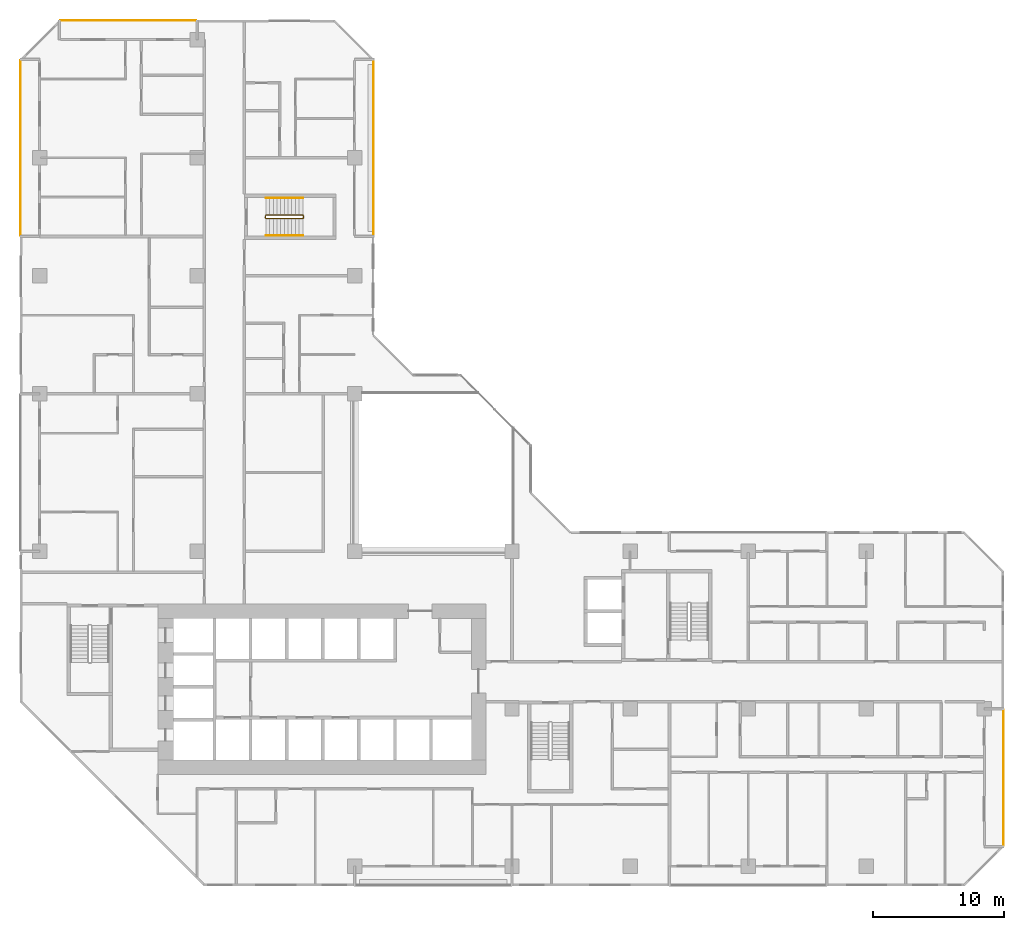
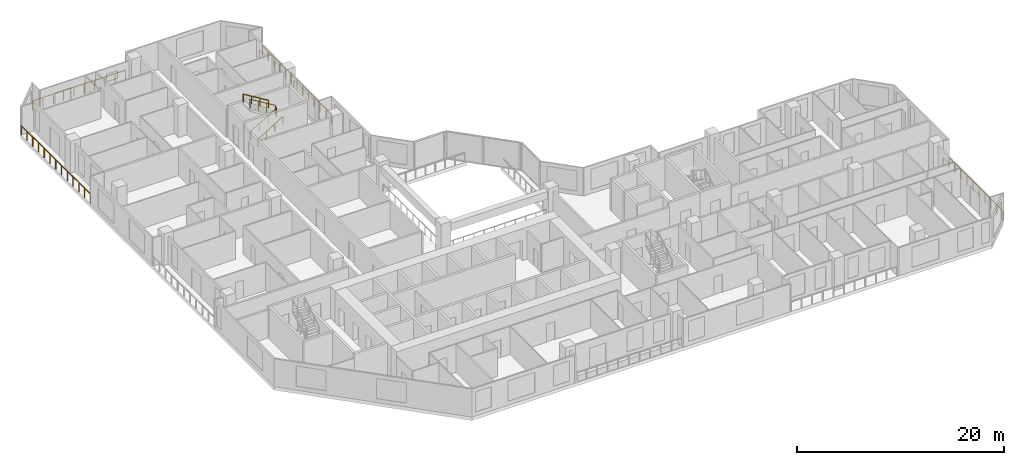
# One storey, part 16 of 16: 7 railings.
"""IFC4 building model written with IfcOpenShell, lengths in metres."""

from ifc_helpers import new_model, si_unit, direction, frame, origin, origin_2d, place, context, subcontext, project, spatial, rectangle, extrude, material, type_object, element, save


model = new_model("IFC4")

# Units and contexts
model_context = context("Model", 3, precision=1e-05, world=origin(), true_north=direction((0.0, 1.0)))
body_context = subcontext(model_context, "Body", "Model", "MODEL_VIEW")
ifc_project = project(units=[si_unit("LENGTHUNIT", "METRE"), si_unit("AREAUNIT", "SQUARE_METRE"), si_unit("VOLUMEUNIT", "CUBIC_METRE"), si_unit("PLANEANGLEUNIT", "RADIAN"), si_unit("MASSUNIT", "GRAM", prefix="KILO")], contexts=[model_context])

# Site, building, storey
site_placement = place(None, origin())
site = spatial("IfcSite", under=ifc_project, at=site_placement, CompositionType="ELEMENT")
building_placement = place(site_placement, origin())
building = spatial("IfcBuilding", under=site, at=building_placement, Name="Chenar Terraces", CompositionType="ELEMENT")
storey_placement = place(building_placement, frame((0.0, 0.0, 82.64990234375)))
storey = spatial("IfcBuildingStorey", under=building, at=storey_placement, Name="L18", CompositionType="ELEMENT", Elevation=82.64990234375)

# Railings
ifc_material_1 = material(Name="Stainless steel and glass", Category="steel")
railing_type_1 = type_object("IfcRailingType", Name="Loggia guard 1150", PredefinedType="GUARDRAIL", material=ifc_material_1)
railing_1_placement = place(storey_placement, frame((25.449951171875, 48.074951171875, 0.0)))
element("IfcRailing", 1, at=railing_1_placement, inside=storey, type_object=railing_type_1, Name="Loggia guard", PredefinedType="GUARDRAIL", context=body_context, shape_type="SweptSolid", body=[
    extrude(rectangle(XDim=0.048095703125, YDim=0.048095703125, at=origin_2d()), frame((0.0, 0.0, 1.1259765625), z_axis=(0.0, 1.0, 0.0), x_axis=(-1.0, 0.0, 0.0)), (0.0, 0.0, 1.0), 13.35009765625),
    extrude(rectangle(XDim=0.0419921875, YDim=0.0419921875, at=origin_2d()), origin(), (0.0, 0.0, 1.0), 1.101806640625),
    extrude(rectangle(XDim=0.0419921875, YDim=0.0419921875, at=origin_2d()), frame((0.0, 1.112548828125, 0.0)), (0.0, 0.0, 1.0), 1.101806640625),
    extrude(rectangle(XDim=0.0419921875, YDim=0.0419921875, at=origin_2d()), frame((0.0, 2.22509765625, 0.0)), (0.0, 0.0, 1.0), 1.101806640625),
    extrude(rectangle(XDim=0.0419921875, YDim=0.0419921875, at=origin_2d()), frame((0.0, 3.33740234375, 0.0)), (0.0, 0.0, 1.0), 1.101806640625),
    extrude(rectangle(XDim=0.0419921875, YDim=0.0419921875, at=origin_2d()), frame((0.0, 4.449951171875, 0.0)), (0.0, 0.0, 1.0), 1.101806640625),
    extrude(rectangle(XDim=0.0419921875, YDim=0.0419921875, at=origin_2d()), frame((0.0, 5.5625, 0.0)), (0.0, 0.0, 1.0), 1.101806640625),
    extrude(rectangle(XDim=0.0419921875, YDim=0.0419921875, at=origin_2d()), frame((0.0, 6.675048828125, 0.0)), (0.0, 0.0, 1.0), 1.101806640625),
    extrude(rectangle(XDim=0.0419921875, YDim=0.0419921875, at=origin_2d()), frame((0.0, 7.78759765625, 0.0)), (0.0, 0.0, 1.0), 1.101806640625),
    extrude(rectangle(XDim=0.0419921875, YDim=0.0419921875, at=origin_2d()), frame((0.0, 8.900146484375, 0.0)), (0.0, 0.0, 1.0), 1.101806640625),
    extrude(rectangle(XDim=0.0419921875, YDim=0.0419921875, at=origin_2d()), frame((0.0, 10.0126953125, 0.0)), (0.0, 0.0, 1.0), 1.101806640625),
    extrude(rectangle(XDim=0.0419921875, YDim=0.0419921875, at=origin_2d()), frame((0.0, 11.125, 0.0)), (0.0, 0.0, 1.0), 1.101806640625),
    extrude(rectangle(XDim=0.0419921875, YDim=0.0419921875, at=origin_2d()), frame((0.0, 12.237548828125, 0.0)), (0.0, 0.0, 1.0), 1.101806640625),
    extrude(rectangle(XDim=0.0419921875, YDim=0.0419921875, at=origin_2d()), frame((0.0, 13.35009765625, 0.0)), (0.0, 0.0, 1.0), 1.101806640625),
])
railing_2_placement = place(storey_placement, frame((73.449951171875, 1.574951171875, 0.0)))
element("IfcRailing", 2, at=railing_2_placement, inside=storey, type_object=railing_type_1, Name="Loggia guard", PredefinedType="GUARDRAIL", context=body_context, shape_type="SweptSolid", body=[
    extrude(rectangle(XDim=0.048095703125, YDim=0.048095703125, at=origin_2d()), frame((0.0, 0.0, 1.1259765625), z_axis=(0.0, 1.0, 0.0), x_axis=(-1.0, 0.0, 0.0)), (0.0, 0.0, 1.0), 10.35009765625),
    extrude(rectangle(XDim=0.0419921875, YDim=0.0419921875, at=origin_2d()), origin(), (0.0, 0.0, 1.0), 1.101806640625),
    extrude(rectangle(XDim=0.0419921875, YDim=0.0419921875, at=origin_2d()), frame((0.0, 1.14990234375, 0.0)), (0.0, 0.0, 1.0), 1.101806640625),
    extrude(rectangle(XDim=0.0419921875, YDim=0.0419921875, at=origin_2d()), frame((0.0, 2.300048828125, 0.0)), (0.0, 0.0, 1.0), 1.101806640625),
    extrude(rectangle(XDim=0.0419921875, YDim=0.0419921875, at=origin_2d()), frame((0.0, 3.449951171875, 0.0)), (0.0, 0.0, 1.0), 1.101806640625),
    extrude(rectangle(XDim=0.0419921875, YDim=0.0419921875, at=origin_2d()), frame((0.0, 4.60009765625, 0.0)), (0.0, 0.0, 1.0), 1.101806640625),
    extrude(rectangle(XDim=0.0419921875, YDim=0.0419921875, at=origin_2d()), frame((0.0, 5.75, 0.0)), (0.0, 0.0, 1.0), 1.101806640625),
    extrude(rectangle(XDim=0.0419921875, YDim=0.0419921875, at=origin_2d()), frame((0.0, 6.900146484375, 0.0)), (0.0, 0.0, 1.0), 1.101806640625),
    extrude(rectangle(XDim=0.0419921875, YDim=0.0419921875, at=origin_2d()), frame((0.0, 8.050048828125, 0.0)), (0.0, 0.0, 1.0), 1.101806640625),
    extrude(rectangle(XDim=0.0419921875, YDim=0.0419921875, at=origin_2d()), frame((0.0, 9.2001953125, 0.0)), (0.0, 0.0, 1.0), 1.101806640625),
    extrude(rectangle(XDim=0.0419921875, YDim=0.0419921875, at=origin_2d()), frame((0.0, 10.35009765625, 0.0)), (0.0, 0.0, 1.0), 1.101806640625),
])
railing_3_placement = place(storey_placement, frame((11.925048828125, 64.449951171875, 0.0)))
element("IfcRailing", 3, at=railing_3_placement, inside=storey, type_object=railing_type_1, Name="Loggia guard", PredefinedType="GUARDRAIL", context=body_context, shape_type="SweptSolid", body=[
    extrude(rectangle(XDim=0.048095703125, YDim=0.048095703125, at=origin_2d()), frame((0.0, 0.0, 1.1259765625), z_axis=(-1.0, 0.0, 0.0), x_axis=(0.0, -1.0, 0.0)), (0.0, 0.0, 1.0), 10.35009765625),
    extrude(rectangle(XDim=0.0419921875, YDim=0.0419921875, at=origin_2d()), origin(), (0.0, 0.0, 1.0), 1.101806640625),
    extrude(rectangle(XDim=0.0419921875, YDim=0.0419921875, at=origin_2d()), frame((-1.14990234375, 0.0, 0.0)), (0.0, 0.0, 1.0), 1.101806640625),
    extrude(rectangle(XDim=0.0419921875, YDim=0.0419921875, at=origin_2d()), frame((-2.300048828125, 0.0, 0.0)), (0.0, 0.0, 1.0), 1.101806640625),
    extrude(rectangle(XDim=0.0419921875, YDim=0.0419921875, at=origin_2d()), frame((-3.449951171875, 0.0, 0.0)), (0.0, 0.0, 1.0), 1.101806640625),
    extrude(rectangle(XDim=0.0419921875, YDim=0.0419921875, at=origin_2d()), frame((-4.60009765625, 0.0, 0.0)), (0.0, 0.0, 1.0), 1.101806640625),
    extrude(rectangle(XDim=0.0419921875, YDim=0.0419921875, at=origin_2d()), frame((-5.75, 0.0, 0.0)), (0.0, 0.0, 1.0), 1.101806640625),
    extrude(rectangle(XDim=0.0419921875, YDim=0.0419921875, at=origin_2d()), frame((-6.900146484375, 0.0, 0.0)), (0.0, 0.0, 1.0), 1.101806640625),
    extrude(rectangle(XDim=0.0419921875, YDim=0.0419921875, at=origin_2d()), frame((-8.050048828125, 0.0, 0.0)), (0.0, 0.0, 1.0), 1.101806640625),
    extrude(rectangle(XDim=0.0419921875, YDim=0.0419921875, at=origin_2d()), frame((-9.2001953125, 0.0, 0.0)), (0.0, 0.0, 1.0), 1.101806640625),
    extrude(rectangle(XDim=0.0419921875, YDim=0.0419921875, at=origin_2d()), frame((-10.35009765625, 0.0, 0.0)), (0.0, 0.0, 1.0), 1.101806640625),
])
railing_4_placement = place(storey_placement, frame((-1.449951171875, 61.425048828125, 0.0)))
element("IfcRailing", 4, at=railing_4_placement, inside=storey, type_object=railing_type_1, Name="Loggia guard", PredefinedType="GUARDRAIL", context=body_context, shape_type="SweptSolid", body=[
    extrude(rectangle(XDim=0.048095703125, YDim=0.048095703125, at=origin_2d()), frame((0.0, 0.0, 1.1259765625), z_axis=(0.0, -1.0, 0.0), x_axis=(1.0, 0.0, 0.0)), (0.0, 0.0, 1.0), 13.35009765625),
    extrude(rectangle(XDim=0.0419921875, YDim=0.0419921875, at=origin_2d()), origin(), (0.0, 0.0, 1.0), 1.101806640625),
    extrude(rectangle(XDim=0.0419921875, YDim=0.0419921875, at=origin_2d()), frame((0.0, -1.112548828125, 0.0)), (0.0, 0.0, 1.0), 1.101806640625),
    extrude(rectangle(XDim=0.0419921875, YDim=0.0419921875, at=origin_2d()), frame((0.0, -2.22509765625, 0.0)), (0.0, 0.0, 1.0), 1.101806640625),
    extrude(rectangle(XDim=0.0419921875, YDim=0.0419921875, at=origin_2d()), frame((0.0, -3.33740234375, 0.0)), (0.0, 0.0, 1.0), 1.101806640625),
    extrude(rectangle(XDim=0.0419921875, YDim=0.0419921875, at=origin_2d()), frame((0.0, -4.449951171875, 0.0)), (0.0, 0.0, 1.0), 1.101806640625),
    extrude(rectangle(XDim=0.0419921875, YDim=0.0419921875, at=origin_2d()), frame((0.0, -5.5625, 0.0)), (0.0, 0.0, 1.0), 1.101806640625),
    extrude(rectangle(XDim=0.0419921875, YDim=0.0419921875, at=origin_2d()), frame((0.0, -6.675048828125, 0.0)), (0.0, 0.0, 1.0), 1.101806640625),
    extrude(rectangle(XDim=0.0419921875, YDim=0.0419921875, at=origin_2d()), frame((0.0, -7.78759765625, 0.0)), (0.0, 0.0, 1.0), 1.101806640625),
    extrude(rectangle(XDim=0.0419921875, YDim=0.0419921875, at=origin_2d()), frame((0.0, -8.900146484375, 0.0)), (0.0, 0.0, 1.0), 1.101806640625),
    extrude(rectangle(XDim=0.0419921875, YDim=0.0419921875, at=origin_2d()), frame((0.0, -10.0126953125, 0.0)), (0.0, 0.0, 1.0), 1.101806640625),
    extrude(rectangle(XDim=0.0419921875, YDim=0.0419921875, at=origin_2d()), frame((0.0, -11.125, 0.0)), (0.0, 0.0, 1.0), 1.101806640625),
    extrude(rectangle(XDim=0.0419921875, YDim=0.0419921875, at=origin_2d()), frame((0.0, -12.237548828125, 0.0)), (0.0, 0.0, 1.0), 1.101806640625),
    extrude(rectangle(XDim=0.0419921875, YDim=0.0419921875, at=origin_2d()), frame((0.0, -13.35009765625, 0.0)), (0.0, 0.0, 1.0), 1.101806640625),
])
ifc_material_2 = material(Name="Powder-coated steel", Category="steel")
railing_type_2 = type_object("IfcRailingType", Name="Stair guard 1100", PredefinedType="GUARDRAIL", material=ifc_material_2)
railing_5_placement = place(storey_placement, frame((17.25, 49.625, 3.75)))
element("IfcRailing", 5, at=railing_5_placement, inside=storey, type_object=railing_type_2, Name="L18 ST4 stair guard 1", PredefinedType="GUARDRAIL", context=body_context, shape_type="SweptSolid", body=[
    extrude(rectangle(XDim=0.048095703125, YDim=0.048095703125, at=origin_2d()), frame((0.0, 0.0, 1.076171875), z_axis=(0.854202870247, 0.0, -0.519939858505), x_axis=(0.0, 1.0, 0.0)), (0.0, 0.0, 1.0), 3.278076171875),
    extrude(rectangle(XDim=0.048095703125, YDim=0.048095703125, at=origin_2d()), frame((2.800048828125, 0.0, -0.62841796875), z_axis=(0.270899902878, -0.270899902878, -0.923702595667), x_axis=(0.707106781187, 0.707106781187, 0.0)), (0.0, 0.0, 1.0), 0.184814453125),
    extrude(rectangle(XDim=0.048095703125, YDim=0.048095703125, at=origin_2d()), frame((2.85009765625, -0.050048828125, -0.798828125), z_axis=(0.0, -1.0, 0.0), x_axis=(1.0, 0.0, 0.0)), (0.0, 0.0, 1.0), 0.14990234375),
    extrude(rectangle(XDim=0.048095703125, YDim=0.048095703125, at=origin_2d()), frame((2.85009765625, -0.199951171875, -0.798828125), z_axis=(-0.707106781187, -0.707106781187, 0.0), x_axis=(0.707106781187, -0.707106781187, 0.0)), (0.0, 0.0, 1.0), 0.07080078125),
    extrude(rectangle(XDim=0.048095703125, YDim=0.048095703125, at=origin_2d()), frame((2.800048828125, -0.25, -0.798828125), z_axis=(-0.854202870247, 0.0, -0.519939858505), x_axis=(0.0, -1.0, 0.0)), (0.0, 0.0, 1.0), 3.278076171875),
    extrude(rectangle(XDim=0.048095703125, YDim=0.048095703125, at=origin_2d()), frame((0.0, -0.25, -2.50341796875), z_axis=(-0.270899902878, 0.270899902878, -0.923702595667), x_axis=(-0.707106781187, -0.707106781187, 0.0)), (0.0, 0.0, 1.0), 0.184814453125),
    extrude(rectangle(XDim=0.048095703125, YDim=0.048095703125, at=origin_2d()), frame((-0.050048828125, -0.199951171875, -2.673828125), z_axis=(0.0, 1.0, 0.0), x_axis=(-1.0, 0.0, 0.0)), (0.0, 0.0, 1.0), 0.14990234375),
    extrude(rectangle(XDim=0.0419921875, YDim=0.0419921875, at=origin_2d()), origin(), (0.0, 0.0, 1.0), 1.052001953125),
    extrude(rectangle(XDim=0.0419921875, YDim=0.0419921875, at=origin_2d()), frame((0.933349609375, 0.0, -0.568115234375)), (0.0, 0.0, 1.0), 1.052001953125),
    extrude(rectangle(XDim=0.0419921875, YDim=0.0419921875, at=origin_2d()), frame((1.86669921875, 0.0, -1.13623046875)), (0.0, 0.0, 1.0), 1.052001953125),
    extrude(rectangle(XDim=0.0419921875, YDim=0.0419921875, at=origin_2d()), frame((2.800048828125, 0.0, -1.704345703125)), (0.0, 0.0, 1.0), 1.052001953125),
    extrude(rectangle(XDim=0.0419921875, YDim=0.0419921875, at=origin_2d()), frame((2.85009765625, -0.050048828125, -1.875)), (0.0, 0.0, 1.0), 1.052001953125),
    extrude(rectangle(XDim=0.0419921875, YDim=0.0419921875, at=origin_2d()), frame((2.85009765625, -0.199951171875, -1.875)), (0.0, 0.0, 1.0), 1.052001953125),
    extrude(rectangle(XDim=0.0419921875, YDim=0.0419921875, at=origin_2d()), frame((2.800048828125, -0.25, -1.875)), (0.0, 0.0, 1.0), 1.052001953125),
    extrude(rectangle(XDim=0.0419921875, YDim=0.0419921875, at=origin_2d()), frame((1.86669921875, -0.25, -2.443115234375)), (0.0, 0.0, 1.0), 1.052001953125),
    extrude(rectangle(XDim=0.0419921875, YDim=0.0419921875, at=origin_2d()), frame((0.933349609375, -0.25, -3.01123046875)), (0.0, 0.0, 1.0), 1.052001953125),
    extrude(rectangle(XDim=0.0419921875, YDim=0.0419921875, at=origin_2d()), frame((0.0, -0.25, -3.579345703125)), (0.0, 0.0, 1.0), 1.052001953125),
    extrude(rectangle(XDim=0.0419921875, YDim=0.0419921875, at=origin_2d()), frame((-0.050048828125, -0.199951171875, -3.75)), (0.0, 0.0, 1.0), 1.052001953125),
    extrude(rectangle(XDim=0.0419921875, YDim=0.0419921875, at=origin_2d()), frame((-0.050048828125, -0.050048828125, -3.75)), (0.0, 0.0, 1.0), 1.052001953125),
])
ifc_material_3 = material(Name="Powder-coated steel", Category="steel")
railing_type_3 = type_object("IfcRailingType", Name="Stair handrail 900", PredefinedType="HANDRAIL", material=ifc_material_3)
railing_6_placement = place(storey_placement, frame((17.25, 48.074951171875, 0.170654296875)))
element("IfcRailing", 6, at=railing_6_placement, inside=storey, type_object=railing_type_3, Name="L18 ST4 stair handrail 1", PredefinedType="HANDRAIL", context=body_context, shape_type="SweptSolid", body=[
    extrude(rectangle(XDim=0.048095703125, YDim=0.048095703125, at=origin_2d()), frame((0.0, 0.0, 0.8759765625), z_axis=(0.854202870247, 0.0, 0.519939858505), x_axis=(0.0, 1.0, 0.0)), (0.0, 0.0, 1.0), 3.278076171875),
    extrude(rectangle(XDim=0.0419921875, YDim=0.0419921875, at=origin_2d()), origin(), (0.0, 0.0, 1.0), 0.851806640625),
    extrude(rectangle(XDim=0.0419921875, YDim=0.0419921875, at=origin_2d()), frame((0.933349609375, 0.0, 0.568115234375)), (0.0, 0.0, 1.0), 0.851806640625),
    extrude(rectangle(XDim=0.0419921875, YDim=0.0419921875, at=origin_2d()), frame((1.86669921875, 0.0, 1.13623046875)), (0.0, 0.0, 1.0), 0.851806640625),
    extrude(rectangle(XDim=0.0419921875, YDim=0.0419921875, at=origin_2d()), frame((2.800048828125, 0.0, 1.704345703125)), (0.0, 0.0, 1.0), 0.851806640625),
])
railing_7_placement = place(storey_placement, frame((20.050048828125, 50.925048828125, 2.045654296875)))
element("IfcRailing", 7, at=railing_7_placement, inside=storey, type_object=railing_type_3, Name="L18 ST4 stair handrail 2", PredefinedType="HANDRAIL", context=body_context, shape_type="SweptSolid", body=[
    extrude(rectangle(XDim=0.048095703125, YDim=0.048095703125, at=origin_2d()), frame((0.0, 0.0, 0.8759765625), z_axis=(-0.854202870247, 0.0, 0.519939858505), x_axis=(0.0, -1.0, 0.0)), (0.0, 0.0, 1.0), 3.278076171875),
    extrude(rectangle(XDim=0.0419921875, YDim=0.0419921875, at=origin_2d()), origin(), (0.0, 0.0, 1.0), 0.851806640625),
    extrude(rectangle(XDim=0.0419921875, YDim=0.0419921875, at=origin_2d()), frame((-0.933349609375, 0.0, 0.568115234375)), (0.0, 0.0, 1.0), 0.851806640625),
    extrude(rectangle(XDim=0.0419921875, YDim=0.0419921875, at=origin_2d()), frame((-1.86669921875, 0.0, 1.13623046875)), (0.0, 0.0, 1.0), 0.851806640625),
    extrude(rectangle(XDim=0.0419921875, YDim=0.0419921875, at=origin_2d()), frame((-2.800048828125, 0.0, 1.704345703125)), (0.0, 0.0, 1.0), 0.851806640625),
])

save(model, "model.ifc")
